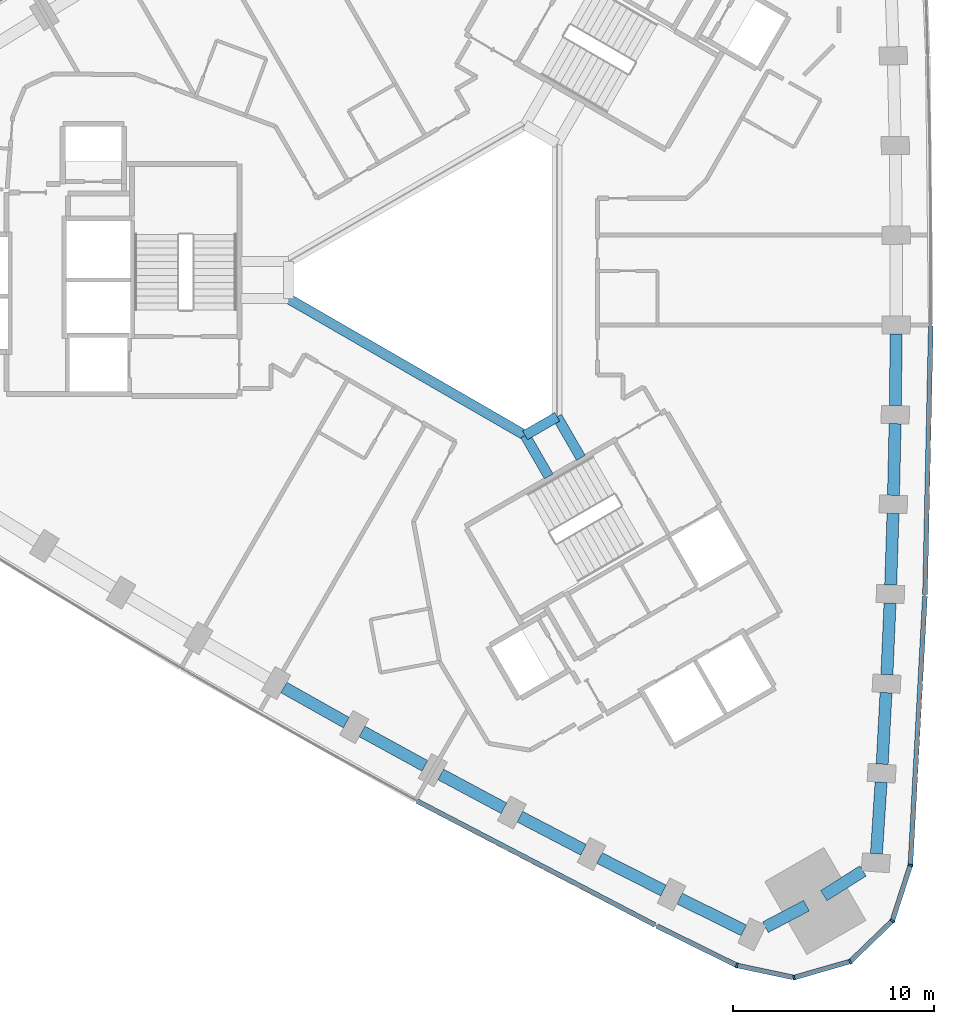
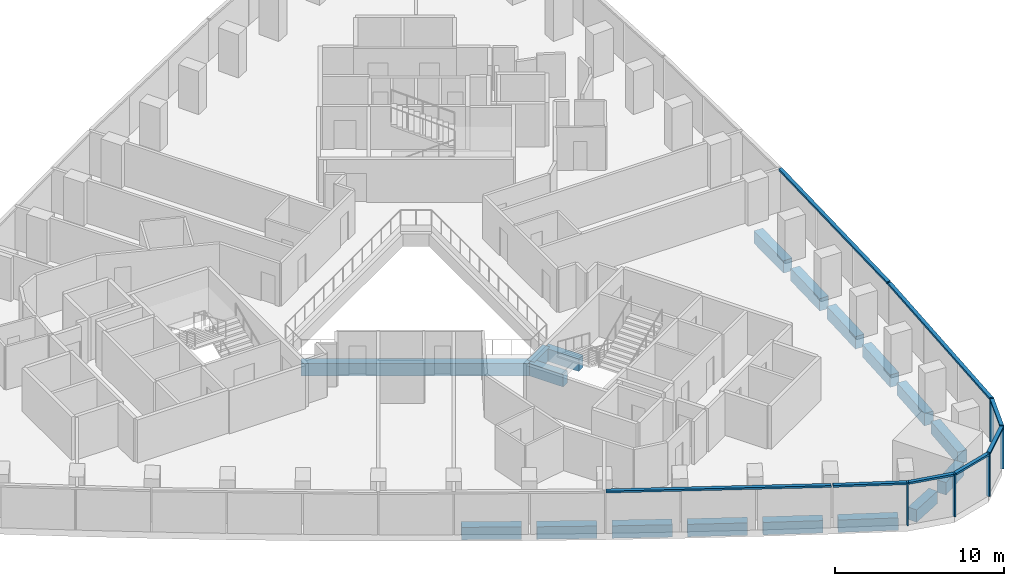
# One storey, part 3 of 13: 18 beams, 13 members, 2 elements without a shape of their own.
"""IFC4 building model written with IfcOpenShell, lengths in metres."""

from ifc_helpers import new_model, si_unit, direction, frame, origin, origin_2d, place, context, subcontext, project, spatial, rectangle, extrude, material, material_profile, profile_set, type_object, element, aggregate, save


model = new_model("IFC4")

# Units and contexts
model_context = context("Model", 3, precision=1e-05, world=origin(), true_north=direction((0.0, 1.0)))
body_context = subcontext(model_context, "Body", "Model", "MODEL_VIEW")
ifc_project = project(units=[si_unit("LENGTHUNIT", "METRE"), si_unit("AREAUNIT", "SQUARE_METRE"), si_unit("VOLUMEUNIT", "CUBIC_METRE"), si_unit("PLANEANGLEUNIT", "RADIAN"), si_unit("MASSUNIT", "GRAM", prefix="KILO")], contexts=[model_context])

# Site, building, storey
site_placement = place(None, origin())
site = spatial("IfcSite", under=ifc_project, at=site_placement, CompositionType="ELEMENT")
building_placement = place(site_placement, origin())
building = spatial("IfcBuilding", under=site, at=building_placement, Name="Tamra Quay Hotel Tower", CompositionType="ELEMENT")
storey_placement = place(building_placement, frame((0.0, 0.0, 38.60009765625)))
storey = spatial("IfcBuildingStorey", under=building, at=storey_placement, Name="L07", CompositionType="ELEMENT", Elevation=38.60009765625)

# Beams
ifc_material_1 = material(Name="Concrete M60", Category="concrete")
ifc_material_profile_1 = material_profile(ifc_material_1, rectangle(XDim=0.5, YDim=0.89990234375, at=origin_2d()), Name="ATRIUM EDGE BEAM RC 500x900")
ifc_profile_set_1 = profile_set([ifc_material_profile_1], Name="Concrete M60")
beam_type_1 = type_object("IfcBeamType", Name="ATRIUM EDGE BEAM RC 500x900", PredefinedType="BEAM", material=ifc_profile_set_1)
beam_1_placement = place(storey_placement, frame((5.0, -6.812744140625, -0.925048828125), z_axis=(-0.86602275259, -0.500004591975, 0.0), x_axis=(0.500004591975, -0.86602275259, 0.0)))
element("IfcBeam", 1, at=beam_1_placement, inside=storey, type_object=beam_type_1, Name="BM-AB1-L07", PredefinedType="BEAM", context=body_context, shape_type="SweptSolid", body=[
    extrude(rectangle(XDim=0.5, YDim=0.89990234375, at=origin_2d()), origin(), (0.0, 0.0, 1.0), 1.84765625),
])
beam_2_placement = place(storey_placement, frame((3.39990234375, -7.736572265625, -0.925048828125), z_axis=(-0.866021471679, 0.500006810544, 0.0), x_axis=(-0.500006810544, -0.866021471679, 0.0)))
element("IfcBeam", 2, at=beam_2_placement, inside=storey, type_object=beam_type_1, Name="BM-AB2-L07", PredefinedType="BEAM", context=body_context, shape_type="SweptSolid", body=[
    extrude(rectangle(XDim=0.5, YDim=0.89990234375, at=origin_2d()), origin(), (0.0, 0.0, 1.0), 13.625244140625),
])
ifc_material_profile_2 = material_profile(ifc_material_1, rectangle(XDim=0.5, YDim=0.89990234375, at=origin_2d()), Name="ATRIUM TIE BEAM RC 500x900")
ifc_profile_set_2 = profile_set([ifc_material_profile_2], Name="Concrete M60")
beam_type_2 = type_object("IfcBeamType", Name="ATRIUM TIE BEAM RC 500x900", PredefinedType="BEAM", material=ifc_profile_set_2)
for number, where, z_axis, x_axis, name in (
    (3, (5.0, -6.812744140625, -0.925048828125), (0.500029618126, -0.866008303076, 0.0), (0.866008303076, 0.500029618126, 0.0), "BM-TIE-1-L07"),
    (4, (3.39990234375, -7.736572265625, -0.925048828125), (0.500029618126, -0.866008303076, 0.0), (0.866008303076, 0.500029618126, 0.0), "BM-TIE-2-L07"),
):
    element("IfcBeam", number, at=place(storey_placement, frame(where, z_axis=z_axis, x_axis=x_axis)), inside=storey, type_object=beam_type_2, Name=name, PredefinedType="BEAM", context=body_context, shape_type="SweptSolid", body=[
        extrude(rectangle(XDim=0.5, YDim=0.89990234375, at=origin_2d()), origin(), (0.0, 0.0, 1.0), 2.362060546875),
    ])

# Curtain wall, member
ifc_material_2 = material(Name="Aluminium 6063 anodised dark grey", Category="aluminium")
curtain_wall_type_1 = type_object("IfcCurtainWallType", Name="CW1 CURTAIN WALL", PredefinedType="NOTDEFINED", material=ifc_material_2)
curtain_wall_1_placement = place(storey_placement, origin())
curtain_wall_1 = element("IfcCurtainWall", 5, at=curtain_wall_1_placement, inside=storey, type_object=curtain_wall_type_1, Name="CW1 east face L07", PredefinedType="NOTDEFINED")
ifc_material_profile_3 = material_profile(ifc_material_2, rectangle(XDim=0.239990234375, YDim=0.10009765625, at=origin_2d()), Name="MULLION 100X240")
ifc_profile_set_3 = profile_set([ifc_material_profile_3], Name="Aluminium 6063 anodised dark grey")
member_type_1 = type_object("IfcMemberType", Name="MULLION CW1 Z1", PredefinedType="MULLION", material=ifc_profile_set_3)
member_1_placement = place(storey_placement, frame((22.5986328125, -29.154052734375, 0.0), z_axis=(0.0, 0.0, 1.0), x_axis=(0.982094520957, -0.188388831692, 0.0)))
member_1 = element("IfcMember", 6, at=member_1_placement, type_object=member_type_1, Name="CW1 mullion L07.E.1", PredefinedType="MULLION", context=body_context, shape_type="SweptSolid", body=[
    extrude(rectangle(XDim=0.239990234375, YDim=0.10009765625, at=origin_2d()), origin(), (0.0, 0.0, 1.0), 3.125),
])

# Curtain wall, members
curtain_wall_type_2 = type_object("IfcCurtainWallType", Name="CW3 CURTAIN WALL", PredefinedType="NOTDEFINED", material=ifc_material_2)
curtain_wall_2_placement = place(storey_placement, origin())
curtain_wall_2 = element("IfcCurtainWall", 7, at=curtain_wall_2_placement, inside=storey, type_object=curtain_wall_type_2, Name="CW3 south-west face L07", PredefinedType="NOTDEFINED")
ifc_material_profile_4 = material_profile(ifc_material_2, rectangle(XDim=0.239990234375, YDim=0.10009765625, at=origin_2d()), Name="MULLION 100X240")
ifc_profile_set_4 = profile_set([ifc_material_profile_4], Name="Aluminium 6063 anodised dark grey")
member_type_2 = type_object("IfcMemberType", Name="MULLION CW3 Z1", PredefinedType="MULLION", material=ifc_profile_set_4)
member_2_placement = place(storey_placement, frame((13.948974609375, -34.148193359375, 0.0), z_axis=(0.0, 0.0, 1.0), x_axis=(-0.327897746444, -0.944713219912, 0.0)))
member_2 = element("IfcMember", 8, at=member_2_placement, type_object=member_type_2, Name="CW3 mullion L07.SW.14", PredefinedType="MULLION", context=body_context, shape_type="SweptSolid", body=[
    extrude(rectangle(XDim=0.239990234375, YDim=0.10009765625, at=origin_2d()), origin(), (0.0, 0.0, 1.0), 3.125),
])
member_3_placement = place(storey_placement, frame((16.7998046875, -34.754150390625, 0.0), z_axis=(0.0, 0.0, 1.0), x_axis=(0.034915999879, -0.999390250579, 0.0)))
member_3 = element("IfcMember", 9, at=member_3_placement, type_object=member_type_2, Name="CW3 mullion L07.SW.15", PredefinedType="MULLION", context=body_context, shape_type="SweptSolid", body=[
    extrude(rectangle(XDim=0.239990234375, YDim=0.10009765625, at=origin_2d()), origin(), (0.0, 0.0, 1.0), 3.125),
])
member_4_placement = place(storey_placement, frame((19.6015625, -33.95068359375, 0.0), z_axis=(0.0, 0.0, 1.0), x_axis=(0.5, -0.866025403784, 0.0)))
member_4 = element("IfcMember", 10, at=member_4_placement, type_object=member_type_2, Name="CW3 mullion L07.SW.16", PredefinedType="MULLION", context=body_context, shape_type="SweptSolid", body=[
    extrude(rectangle(XDim=0.239990234375, YDim=0.10009765625, at=origin_2d()), origin(), (0.0, 0.0, 1.0), 3.125),
])
member_5_placement = place(storey_placement, frame((21.697998046875, -31.926025390625, 0.0), z_axis=(0.0, 0.0, 1.0), x_axis=(0.848039345356, -0.529933268183, 0.0)))
member_5 = element("IfcMember", 11, at=member_5_placement, type_object=member_type_2, Name="CW3 mullion L07.SW.17", PredefinedType="MULLION", context=body_context, shape_type="SweptSolid", body=[
    extrude(rectangle(XDim=0.239990234375, YDim=0.10009765625, at=origin_2d()), origin(), (0.0, 0.0, 1.0), 3.125),
])

# Beams
ifc_material_profile_5 = material_profile(ifc_material_1, rectangle(XDim=0.60009765625, YDim=0.89990234375, at=origin_2d()), Name="SPANDREL BEAM RC 600x900")
ifc_profile_set_5 = profile_set([ifc_material_profile_5], Name="Concrete M60")
beam_type_3 = type_object("IfcBeamType", Name="SPANDREL BEAM RC 600x900", PredefinedType="SPANDREL", material=ifc_profile_set_5)
beam_3_placement = place(storey_placement, frame((20.908203125, -28.584716796875, -0.925048828125), z_axis=(0.064749077985, 0.99790157676, 0.0), x_axis=(-0.99790157676, 0.064749077985, 0.0)))
element("IfcBeam", 12, at=beam_3_placement, inside=storey, type_object=beam_type_3, Name="BM-SP1-000-L07", PredefinedType="SPANDREL", context=body_context, shape_type="SweptSolid", body=[
    extrude(rectangle(XDim=0.60009765625, YDim=0.89990234375, at=origin_2d()), origin(), (0.0, 0.0, 1.0), 3.57080078125),
])
beam_4_placement = place(storey_placement, frame((21.193115234375, -24.123046875, -0.925048828125), z_axis=(0.054026860576, 0.998539482613, 0.0), x_axis=(-0.998539482613, 0.054026860576, 0.0)))
element("IfcBeam", 13, at=beam_4_placement, inside=storey, type_object=beam_type_3, Name="BM-SP1-001-L07", PredefinedType="SPANDREL", context=body_context, shape_type="SweptSolid", body=[
    extrude(rectangle(XDim=0.60009765625, YDim=0.89990234375, at=origin_2d()), origin(), (0.0, 0.0, 1.0), 3.56982421875),
])
for number, where, z_axis, x_axis, name in (
    (14, (21.429931640625, -19.659423828125, -0.925048828125), (0.043282922957, 0.99906285517, 0.0), (-0.99906285517, 0.043282922957, 0.0), "BM-SP1-002-L07"),
    (15, (21.618408203125, -15.19287109375, -0.925048828125), (0.032547568535, 0.999470187541, 0.0), (-0.999470187541, 0.032547568535, 0.0), "BM-SP1-003-L07"),
):
    element("IfcBeam", number, at=place(storey_placement, frame(where, z_axis=z_axis, x_axis=x_axis)), inside=storey, type_object=beam_type_3, Name=name, PredefinedType="SPANDREL", context=body_context, shape_type="SweptSolid", body=[
        extrude(rectangle(XDim=0.60009765625, YDim=0.89990234375, at=origin_2d()), origin(), (0.0, 0.0, 1.0), 3.570556640625),
    ])
beam_5_placement = place(storey_placement, frame((21.7587890625, -10.724609375, -0.925048828125), z_axis=(0.021679013576, 0.999764982569, 0.0), x_axis=(-0.999764982569, 0.021679013576, 0.0)))
element("IfcBeam", 16, at=beam_5_placement, inside=storey, type_object=beam_type_3, Name="BM-SP1-004-L07", PredefinedType="SPANDREL", context=body_context, shape_type="SweptSolid", body=[
    extrude(rectangle(XDim=0.60009765625, YDim=0.89990234375, at=origin_2d()), origin(), (0.0, 0.0, 1.0), 3.56982421875),
])
for number, where, z_axis, x_axis, name in (
    (17, (21.850830078125, -6.255615234375, -0.925048828125), (0.010803527021, 0.999941640199, 0.0), (-0.999941640199, 0.010803527021, 0.0), "BM-SP1-005-L07"),
    (18, (-8.619384765625, -20.299560546875, -0.925048828125), (0.871431243693, -0.49051767299, 0.0), (0.49051767299, 0.871431243693, 0.0), "BM-SP1-037-L07"),
):
    element("IfcBeam", number, at=place(storey_placement, frame(where, z_axis=z_axis, x_axis=x_axis)), inside=storey, type_object=beam_type_3, Name=name, PredefinedType="SPANDREL", context=body_context, shape_type="SweptSolid", body=[
        extrude(rectangle(XDim=0.60009765625, YDim=0.89990234375, at=origin_2d()), origin(), (0.0, 0.0, 1.0), 3.570556640625),
    ])
beam_6_placement = place(storey_placement, frame((-4.72119140625, -22.48828125, -0.925048828125), z_axis=(0.876617015828, -0.481188744216, 0.0), x_axis=(0.481188744216, 0.876617015828, 0.0)))
element("IfcBeam", 19, at=beam_6_placement, inside=storey, type_object=beam_type_3, Name="BM-SP1-038-L07", PredefinedType="SPANDREL", context=body_context, shape_type="SweptSolid", body=[
    extrude(rectangle(XDim=0.60009765625, YDim=0.89990234375, at=origin_2d()), origin(), (0.0, 0.0, 1.0), 3.56982421875),
])
beam_7_placement = place(storey_placement, frame((-0.80029296875, -24.634765625, -0.925048828125), z_axis=(0.881809110934, -0.471606501094, 0.0), x_axis=(0.471606501094, 0.881809110934, 0.0)))
element("IfcBeam", 20, at=beam_7_placement, inside=storey, type_object=beam_type_3, Name="BM-SP1-039-L07", PredefinedType="SPANDREL", context=body_context, shape_type="SweptSolid", body=[
    extrude(rectangle(XDim=0.60009765625, YDim=0.89990234375, at=origin_2d()), origin(), (0.0, 0.0, 1.0), 3.5703125),
])
beam_8_placement = place(storey_placement, frame((3.14404296875, -26.73876953125, -0.925048828125), z_axis=(0.886863886749, -0.462030785101, 0.0), x_axis=(0.462030785101, 0.886863886749, 0.0)))
element("IfcBeam", 21, at=beam_8_placement, inside=storey, type_object=beam_type_3, Name="BM-SP1-040-L07", PredefinedType="SPANDREL", context=body_context, shape_type="SweptSolid", body=[
    extrude(rectangle(XDim=0.60009765625, YDim=0.89990234375, at=origin_2d()), origin(), (0.0, 0.0, 1.0), 3.570556640625),
])
beam_9_placement = place(storey_placement, frame((7.111083984375, -28.800048828125, -0.925048828125), z_axis=(0.891785652583, -0.452458119439, 0.0), x_axis=(0.452458119439, 0.891785652583, 0.0)))
element("IfcBeam", 22, at=beam_9_placement, inside=storey, type_object=beam_type_3, Name="BM-SP1-041-L07", PredefinedType="SPANDREL", context=body_context, shape_type="SweptSolid", body=[
    extrude(rectangle(XDim=0.60009765625, YDim=0.89990234375, at=origin_2d()), origin(), (0.0, 0.0, 1.0), 3.56982421875),
])
beam_10_placement = place(storey_placement, frame((11.099365234375, -30.818115234375, -0.925048828125), z_axis=(0.896604328032, -0.442832563113, 0.0), x_axis=(0.442832563113, 0.896604328032, 0.0)))
element("IfcBeam", 23, at=beam_10_placement, inside=storey, type_object=beam_type_3, Name="BM-SP1-042-L07", PredefinedType="SPANDREL", context=body_context, shape_type="SweptSolid", body=[
    extrude(rectangle(XDim=0.60009765625, YDim=0.89990234375, at=origin_2d()), origin(), (0.0, 0.0, 1.0), 3.57080078125),
])
beam_11_placement = place(storey_placement, frame((15.377197265625, -32.24609375, -0.925048828125), z_axis=(0.885674154565, 0.464307324879, 0.0), x_axis=(-0.464307324879, 0.885674154565, 0.0)))
element("IfcBeam", 24, at=beam_11_placement, inside=storey, type_object=beam_type_3, Name="BM-SP1-043-L07", PredefinedType="SPANDREL", context=body_context, shape_type="SweptSolid", body=[
    extrude(rectangle(XDim=0.60009765625, YDim=0.89990234375, at=origin_2d()), origin(), (0.0, 0.0, 1.0), 2.308349609375),
])
beam_12_placement = place(storey_placement, frame((18.28662109375, -30.6748046875, -0.925048828125), z_axis=(0.844978382684, 0.53480046073, 0.0), x_axis=(-0.53480046073, 0.844978382684, 0.0)))
element("IfcBeam", 25, at=beam_12_placement, inside=storey, type_object=beam_type_3, Name="BM-SP1-044-L07", PredefinedType="SPANDREL", context=body_context, shape_type="SweptSolid", body=[
    extrude(rectangle(XDim=0.60009765625, YDim=0.89990234375, at=origin_2d()), origin(), (0.0, 0.0, 1.0), 2.30859375),
])

# Member
ifc_material_profile_6 = material_profile(ifc_material_2, rectangle(XDim=0.239990234375, YDim=0.139892578125, at=origin_2d()), Name="TRANSOM 240X140")
ifc_profile_set_6 = profile_set([ifc_material_profile_6], Name="Aluminium 6063 anodised dark grey")
member_type_3 = type_object("IfcMemberType", Name="TRANSOM CW1 Z1", PredefinedType="USERDEFINED", material=ifc_profile_set_6)
member_6_placement = place(storey_placement, frame((22.60205078125, -29.104248046875, 3.054931640625), z_axis=(0.054048600578, 0.998538306113, 0.0), x_axis=(-0.998538306113, 0.054048600578, 0.0)))
member_6 = element("IfcMember", 26, at=member_6_placement, type_object=member_type_3, Name="CW1 transom L07.E.1", ObjectType="TRANSOM", PredefinedType="USERDEFINED", context=body_context, shape_type="SweptSolid", body=[
    extrude(rectangle(XDim=0.239990234375, YDim=0.139892578125, at=origin_2d()), origin(), (0.0, 0.0, 1.0), 13.365966796875),
])

member_7_placement = place(storey_placement, frame((23.328369140625, -15.65771484375, 3.054931640625), z_axis=(0.021644299832, 0.999765734702, 0.0), x_axis=(-0.999765734702, 0.021644299832, 0.0)))
member_7 = element("IfcMember", 27, at=member_7_placement, type_object=member_type_3, Name="CW1 transom L07.E.4", ObjectType="TRANSOM", PredefinedType="USERDEFINED", context=body_context, shape_type="SweptSolid", body=[
    extrude(rectangle(XDim=0.239990234375, YDim=0.139892578125, at=origin_2d()), origin(), (0.0, 0.0, 1.0), 13.366455078125),
])

aggregate(curtain_wall_1, [member_1, member_6, member_7])

ifc_material_profile_7 = material_profile(ifc_material_2, rectangle(XDim=0.239990234375, YDim=0.139892578125, at=origin_2d()), Name="TRANSOM 240X140")
ifc_profile_set_7 = profile_set([ifc_material_profile_7], Name="Aluminium 6063 anodised dark grey")
member_type_4 = type_object("IfcMemberType", Name="TRANSOM CW3 Z1", PredefinedType="USERDEFINED", material=ifc_profile_set_7)
member_8_placement = place(storey_placement, frame((-1.97412109375, -25.9619140625, 3.054931640625), z_axis=(0.88684719541, -0.462062822562, 0.0), x_axis=(0.462062822562, 0.88684719541, 0.0)))
member_8 = element("IfcMember", 28, at=member_8_placement, type_object=member_type_4, Name="CW3 transom L07.SW.10", ObjectType="TRANSOM", PredefinedType="USERDEFINED", context=body_context, shape_type="SweptSolid", body=[
    extrude(rectangle(XDim=0.239990234375, YDim=0.139892578125, at=origin_2d()), origin(), (0.0, 0.0, 1.0), 13.36669921875),
])

member_9_placement = place(storey_placement, frame((9.969482421875, -32.182861328125, 3.054931640625), z_axis=(0.896619497593, -0.442801847936, 0.0), x_axis=(0.442801847936, 0.896619497593, 0.0)))
member_9 = element("IfcMember", 29, at=member_9_placement, type_object=member_type_4, Name="CW3 transom L07.SW.13", ObjectType="TRANSOM", PredefinedType="USERDEFINED", context=body_context, shape_type="SweptSolid", body=[
    extrude(rectangle(XDim=0.239990234375, YDim=0.139892578125, at=origin_2d()), origin(), (0.0, 0.0, 1.0), 4.38818359375),
])

member_10_placement = place(storey_placement, frame((13.997802734375, -34.15869140625, 3.054931640625), z_axis=(0.97816524345, -0.207828671039, 0.0), x_axis=(0.207828671039, 0.97816524345, 0.0)))
member_10 = element("IfcMember", 30, at=member_10_placement, type_object=member_type_4, Name="CW3 transom L07.SW.14", ObjectType="TRANSOM", PredefinedType="USERDEFINED", context=body_context, shape_type="SweptSolid", body=[
    extrude(rectangle(XDim=0.239990234375, YDim=0.139892578125, at=origin_2d()), origin(), (0.0, 0.0, 1.0), 2.814697265625),
])

member_11_placement = place(storey_placement, frame((16.847900390625, -34.740234375, 3.054931640625), z_axis=(0.961255085045, 0.275660409698, 0.0), x_axis=(-0.275660409698, 0.961255085045, 0.0)))
member_11 = element("IfcMember", 31, at=member_11_placement, type_object=member_type_4, Name="CW3 transom L07.SW.15", ObjectType="TRANSOM", PredefinedType="USERDEFINED", context=body_context, shape_type="SweptSolid", body=[
    extrude(rectangle(XDim=0.239990234375, YDim=0.139892578125, at=origin_2d()), origin(), (0.0, 0.0, 1.0), 2.814697265625),
])

member_12_placement = place(storey_placement, frame((19.637451171875, -33.916015625, 3.054931640625), z_axis=(0.71931626538, 0.694682740796, 0.0), x_axis=(-0.694682740796, 0.71931626538, 0.0)))
member_12 = element("IfcMember", 32, at=member_12_placement, type_object=member_type_4, Name="CW3 transom L07.SW.16", ObjectType="TRANSOM", PredefinedType="USERDEFINED", context=body_context, shape_type="SweptSolid", body=[
    extrude(rectangle(XDim=0.239990234375, YDim=0.139892578125, at=origin_2d()), origin(), (0.0, 0.0, 1.0), 2.814697265625),
])

member_13_placement = place(storey_placement, frame((21.71337890625, -31.87841796875, 3.054931640625), z_axis=(0.309062535631, 0.951041717839, 0.0), x_axis=(-0.951041717839, 0.309062535631, 0.0)))
member_13 = element("IfcMember", 33, at=member_13_placement, type_object=member_type_4, Name="CW3 transom L07.SW.17", ObjectType="TRANSOM", PredefinedType="USERDEFINED", context=body_context, shape_type="SweptSolid", body=[
    extrude(rectangle(XDim=0.239990234375, YDim=0.139892578125, at=origin_2d()), origin(), (0.0, 0.0, 1.0), 2.814453125),
])

aggregate(curtain_wall_2, [member_8, member_9, member_2, member_10, member_3, member_11, member_4, member_12, member_5, member_13])

save(model, "model.ifc")
